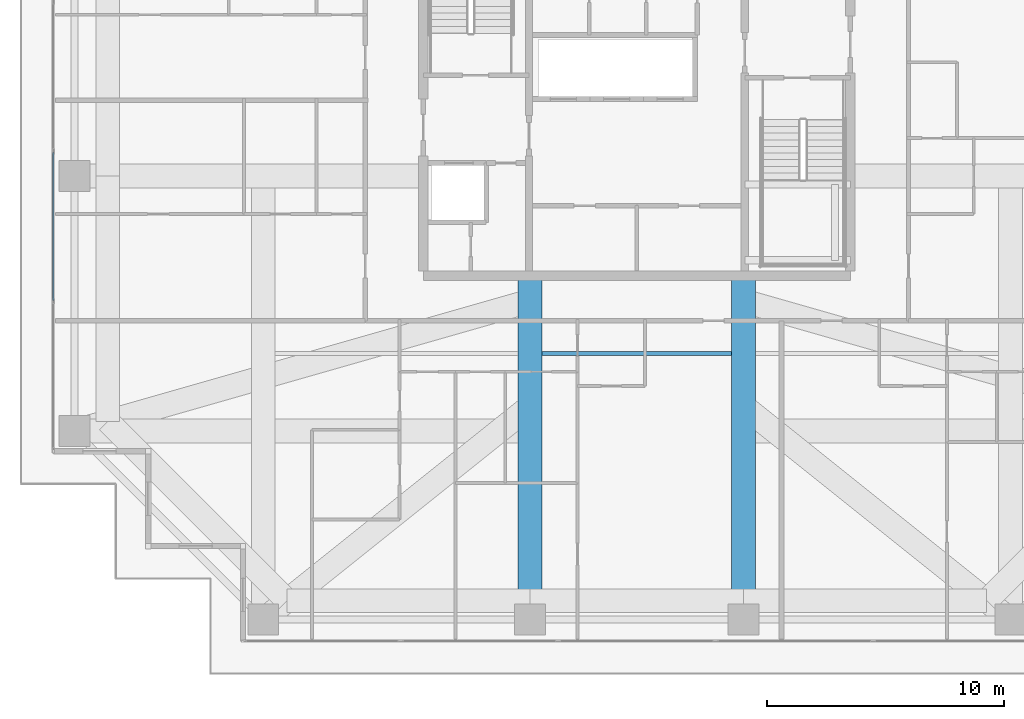
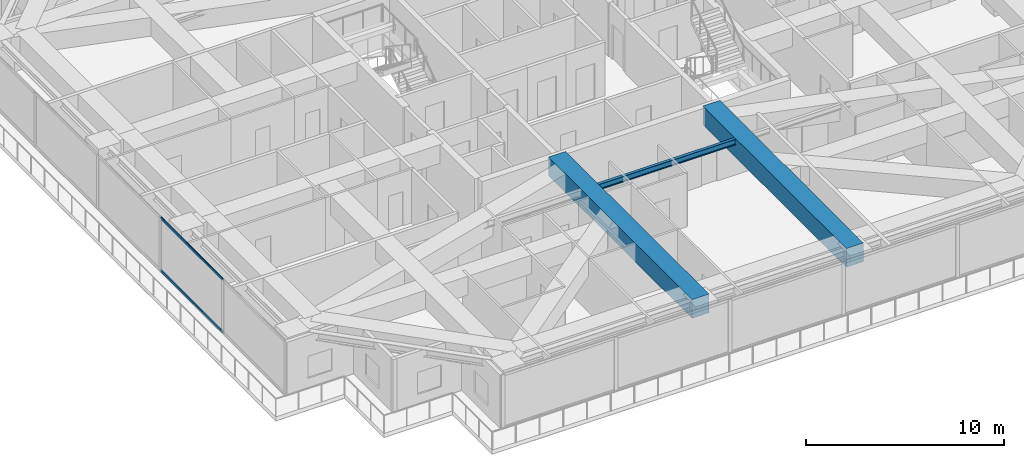
# One storey, part 6 of 32: 3 beams, 2 members, 1 element without a shape of its own.
"""IFC4 building model written with IfcOpenShell, lengths in metres."""

from ifc_helpers import new_model, si_unit, direction, frame, origin, origin_2d, place, context, subcontext, project, spatial, rectangle, hollow_rectangle, i_section, extrude, source, transform, mapped, material, layer, layer_set, material_profile, profile_set, type_object, element, aggregate, save


model = new_model("IFC4")

# Units and contexts
model_context = context("Model", 3, precision=1e-05, world=origin(), true_north=direction((0.0, 1.0)))
body_context = subcontext(model_context, "Body", "Model", "MODEL_VIEW")
ifc_project = project(units=[si_unit("LENGTHUNIT", "METRE"), si_unit("AREAUNIT", "SQUARE_METRE"), si_unit("VOLUMEUNIT", "CUBIC_METRE"), si_unit("PLANEANGLEUNIT", "RADIAN"), si_unit("MASSUNIT", "GRAM", prefix="KILO")], contexts=[model_context])

# Site, building, storey
site_placement = place(None, origin())
site = spatial("IfcSite", under=ifc_project, at=site_placement, CompositionType="ELEMENT")
building_placement = place(site_placement, origin())
building = spatial("IfcBuilding", under=site, at=building_placement, Name="Serunith Strait Residences", CompositionType="ELEMENT")
storey_placement = place(building_placement, frame((0.0, 0.0, 195.14990234375)))
storey = spatial("IfcBuildingStorey", under=building, at=storey_placement, Name="L49", CompositionType="ELEMENT", Elevation=195.14990234375)

# Beams
ifc_material_1 = material(Name="Concrete C80/95", Category="concrete")
ifc_material_profile_1 = material_profile(ifc_material_1, rectangle(XDim=1.0, YDim=1.14990234375, at=origin_2d()), Name="RC 1000x1150")
ifc_profile_set_1 = profile_set([ifc_material_profile_1], Name="Concrete C80/95")
beam_type_1 = type_object("IfcBeamType", Name="BM-XFER-1000x1150", PredefinedType="BEAM", material=ifc_profile_set_1)
shared_shape_1 = source(origin(), body_context, "Body", "SweptSolid", [
    extrude(rectangle(XDim=1.0, YDim=1.14990234375, at=origin_2d()), origin(), (0.0, 0.0, 1.0), 14.5),
])
for number, where, z_axis, x_axis, name in (
    (1, (27.89990234375, 16.800048828125, 2.735107421875), (0.0, -1.0, 0.0), (1.0, 0.0, 0.0), "L49 Primary Floor Girder TC-S2"),
    (2, (36.89990234375, 16.800048828125, 2.735107421875), (0.0, -1.0, 0.0), (1.0, 0.0, 0.0), "L49 Primary Floor Girder TC-S3"),
):
    element("IfcBeam", number, at=place(storey_placement, frame(where, z_axis=z_axis, x_axis=x_axis)), inside=storey, type_object=beam_type_1, Name=name, PredefinedType="BEAM", context=body_context, shape_type="MappedRepresentation", body=[
        mapped(shared_shape_1, transform((0.0, 0.0, 0.0), scale=1.0)),
    ])
ifc_material_2 = material(Name="Steel S355J2", Category="steel")
ifc_material_profile_2 = material_profile(ifc_material_2, i_section(OverallWidth=0.169921875, OverallDepth=0.360107421875, WebThickness=0.008056640625, FlangeThickness=0.0126953125, FilletRadius=0.01806640625, at=origin_2d()), Name="IPE 360")
ifc_profile_set_2 = profile_set([ifc_material_profile_2], Name="Steel S355J2")
beam_type_2 = type_object("IfcBeamType", Name="BM-IPE360", PredefinedType="JOIST", material=ifc_profile_set_2)
shared_shape_2 = source(origin(), body_context, "Body", "SweptSolid", [
    extrude(i_section(OverallWidth=0.169921875, OverallDepth=0.360107421875, WebThickness=0.008056640625, FlangeThickness=0.0126953125, FilletRadius=0.01806640625, at=origin_2d()), origin(), (0.0, 0.0, 1.0), 8.0),
])
beam_placement = place(storey_placement, frame((28.39990234375, 13.52490234375, 3.127197265625), z_axis=(1.0, 0.0, 0.0), x_axis=(0.0, 1.0, 0.0)))
element("IfcBeam", 3, at=beam_placement, inside=storey, type_object=beam_type_2, Name="L49 Composite Floor Joist 02", PredefinedType="JOIST", context=body_context, shape_type="MappedRepresentation", body=[
    mapped(shared_shape_2, transform((0.0, 0.0, 0.0), scale=1.0)),
])

# Curtain wall, members
ifc_material_3 = material(Name="Pale-Silver PVDF Aluminium", Category="aluminium")
ifc_layer = layer(ifc_material_3, 0.199951171875, Name="Pale-Silver PVDF Aluminium")
ifc_layer_set = layer_set([ifc_layer], Name="Pale-Silver PVDF Aluminium")
curtain_wall_type = type_object("IfcCurtainWallType", Name="CW-SYS3", PredefinedType="NOTDEFINED", material=ifc_layer_set)
curtain_wall_placement = place(storey_placement, origin())
curtain_wall = element("IfcCurtainWall", 4, at=curtain_wall_placement, inside=storey, type_object=curtain_wall_type, Name="L49 W Unitised Fritted Curtain Wall", PredefinedType="NOTDEFINED")
ifc_material_profile_3 = material_profile(ifc_material_3, hollow_rectangle(XDim=0.06005859375, YDim=0.159912109375, WallThickness=0.00341796875, InnerFilletRadius=0.00537109375, OuterFilletRadius=0.0087890625, at=origin_2d()), Name="ALU 160x60x3.5")
ifc_profile_set_3 = profile_set([ifc_material_profile_3], Name="Pale-Silver PVDF Aluminium")
member_type = type_object("IfcMemberType", Name="CW-SYS3-TRAN", PredefinedType="USERDEFINED", material=ifc_profile_set_3)
shared_shape_3 = source(origin(), body_context, "Body", "SweptSolid", [
    extrude(hollow_rectangle(XDim=0.06005859375, YDim=0.159912109375, WallThickness=0.00341796875, InnerFilletRadius=0.00537109375, OuterFilletRadius=0.0087890625, at=origin_2d()), origin(), (0.0, 0.0, 1.0), 6.244873046875),
])
member_1_placement = place(storey_placement, frame((7.800048828125, 22.00244140625, 0.030029296875), z_axis=(0.0, -1.0, 0.0), x_axis=(1.0, 0.0, 0.0)))
member_1 = element("IfcMember", 5, at=member_1_placement, type_object=member_type, Name="CW-3 transom 4.1", ObjectType="TRANSOM", PredefinedType="USERDEFINED", context=body_context, shape_type="MappedRepresentation", body=[
    mapped(shared_shape_3, transform((0.0, 0.0, 0.0), scale=1.0)),
])
member_2_placement = place(storey_placement, frame((7.800048828125, 22.00244140625, 3.26513671875), z_axis=(0.0, -1.0, 0.0), x_axis=(1.0, 0.0, 0.0)))
member_2 = element("IfcMember", 6, at=member_2_placement, type_object=member_type, Name="CW-3 transom 4.2", ObjectType="TRANSOM", PredefinedType="USERDEFINED", context=body_context, shape_type="MappedRepresentation", body=[
    mapped(shared_shape_3, transform((0.0, 0.0, 0.0), scale=1.0)),
])
aggregate(curtain_wall, [member_1, member_2])

save(model, "model.ifc")
